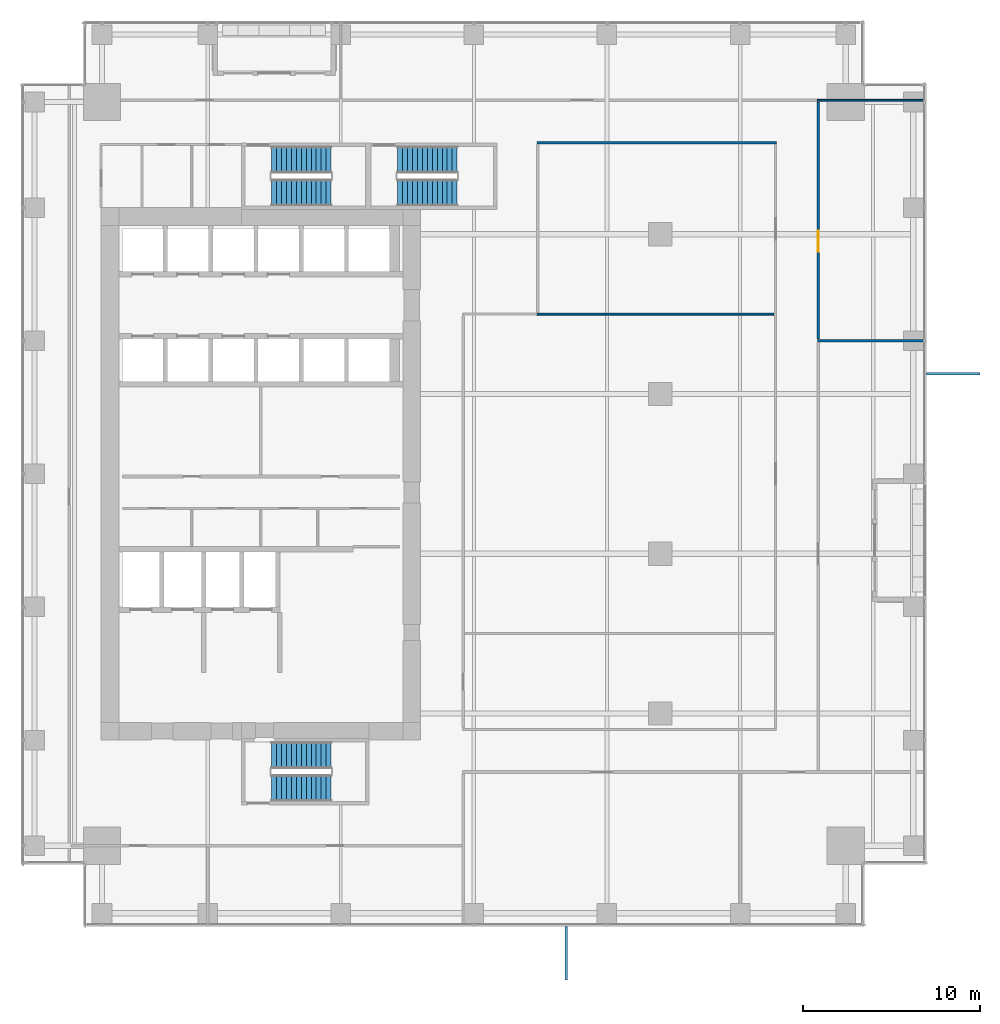
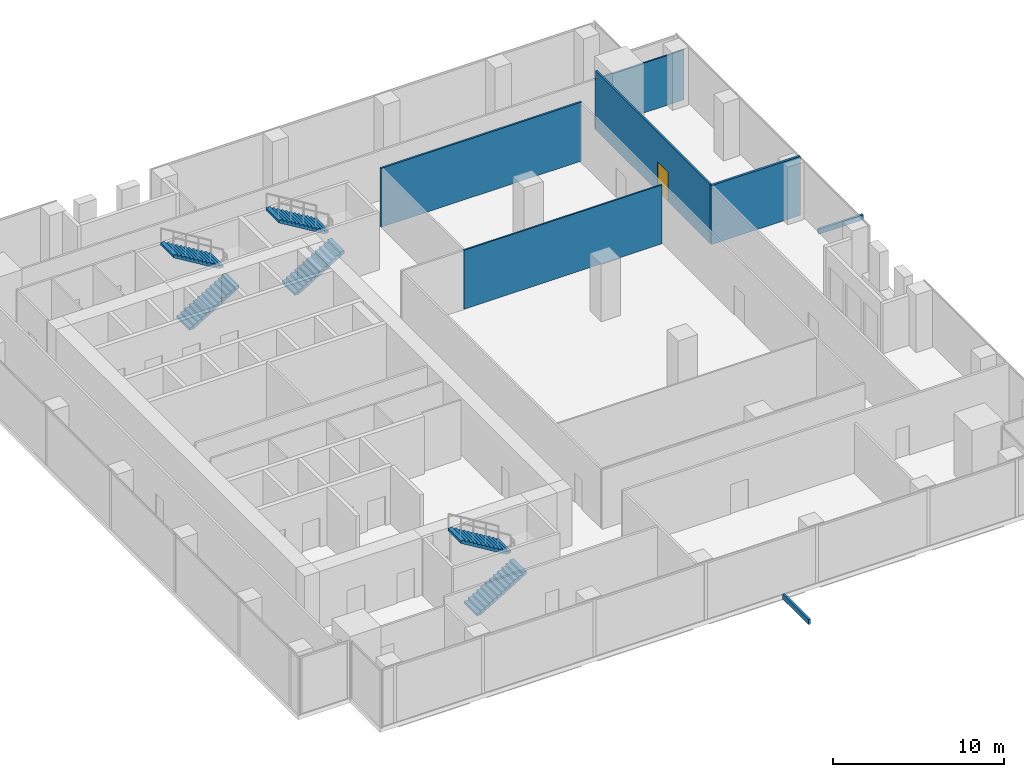
# One storey, part 31 of 34: 6 stair flights, 5 walls, 2 discrete accessories, 1 door, 1 opening, 3 elements without a shape of their own.
"""IFC4 building model written with IfcOpenShell, lengths in metres."""

from ifc_helpers import new_model, si_unit, direction, frame, frame_2d, origin, origin_2d, place, context, subcontext, project, spatial, polyline, rectangle, outline, extrude, source, transform, mapped, material, layer, layer_set, type_object, element, fill, aggregate, save


model = new_model("IFC4")

# Units and contexts
model_context = context("Model", 3, precision=1e-05, world=origin(), true_north=direction((0.0, 1.0)))
body_context = subcontext(model_context, "Body", "Model", "MODEL_VIEW")
ifc_project = project(units=[si_unit("LENGTHUNIT", "METRE"), si_unit("AREAUNIT", "SQUARE_METRE"), si_unit("VOLUMEUNIT", "CUBIC_METRE"), si_unit("PLANEANGLEUNIT", "RADIAN"), si_unit("MASSUNIT", "GRAM", prefix="KILO")], contexts=[model_context])

# Site, building, storey
site_placement = place(None, origin())
site = spatial("IfcSite", under=ifc_project, at=site_placement, CompositionType="ELEMENT")
building_placement = place(site_placement, origin())
building = spatial("IfcBuilding", under=site, at=building_placement, Name="Khomas Fold Tower", CompositionType="ELEMENT")
storey_placement = place(building_placement, frame((0.0, 0.0, 145.5)))
storey = spatial("IfcBuildingStorey", under=building, at=storey_placement, Name="L31", CompositionType="ELEMENT", Elevation=145.5)

# Walls
ifc_material_1 = material(Name="Plasterboard partition")
ifc_layer_1 = layer(ifc_material_1, 0.10009765625)
ifc_layer_set_1 = layer_set([ifc_layer_1], Name="Plasterboard partition")
wall_type_1 = type_object("IfcWallType", Name="Partition PW1 100", PredefinedType="PARTITIONING", material=ifc_layer_set_1)
shared_shape_1 = source(origin(), body_context, "Body", "SweptSolid", [
    extrude(rectangle(XDim=13.349853515625, YDim=0.10009765625, at=frame_2d((6.6748046875, 0.0))), origin(), (0.0, 0.0, 1.0), 4.199951171875),
])
wall_1_placement = place(storey_placement, frame((30.550048828125, 36.0, 0.0), z_axis=(0.0, 0.0, 1.0), x_axis=(1.0, 0.0, 0.0)))
element("IfcWall", 1, at=wall_1_placement, inside=storey, type_object=wall_type_1, Name="Partition", PredefinedType="PARTITIONING", context=body_context, shape_type="MappedRepresentation", body=[
    mapped(shared_shape_1, transform((0.0, 0.0, 0.0))),
])
ifc_material_2 = material(Name="Plasterboard partition")
ifc_layer_2 = layer(ifc_material_2, 0.125)
ifc_layer_set_2 = layer_set([ifc_layer_2], Name="Plasterboard partition")
wall_type_2 = type_object("IfcWallType", Name="Partition PW2 125", PredefinedType="PARTITIONING", material=ifc_layer_set_2)
shared_shape_2 = source(origin(), body_context, "Body", "SweptSolid", [
    extrude(rectangle(XDim=13.5, YDim=0.125, at=frame_2d((6.75, 0.0))), origin(), (0.0, 0.0, 1.0), 4.199951171875),
])
wall_2_placement = place(storey_placement, frame((30.550048828125, 45.64990234375, 0.0), z_axis=(0.0, 0.0, 1.0), x_axis=(1.0, 0.0, 0.0)))
element("IfcWall", 2, at=wall_2_placement, inside=storey, type_object=wall_type_2, Name="Partition", PredefinedType="PARTITIONING", context=body_context, shape_type="MappedRepresentation", body=[
    mapped(shared_shape_2, transform((0.0, 0.0, 0.0))),
])
shared_shape_3 = source(origin(), body_context, "Body", "SweptSolid", [
    extrude(rectangle(XDim=6.0, YDim=0.10009765625, at=frame_2d((3.0, 0.0))), origin(), (0.0, 0.0, 1.0), 3.550048828125),
])
wall_3_placement = place(storey_placement, frame((46.35009765625, 48.050048828125, 0.0), z_axis=(0.0, 0.0, 1.0), x_axis=(1.0, 0.0, 0.0)))
element("IfcWall", 3, at=wall_3_placement, inside=storey, type_object=wall_type_1, Name="Partition", PredefinedType="PARTITIONING", context=body_context, shape_type="MappedRepresentation", body=[
    mapped(shared_shape_3, transform((0.0, 0.0, 0.0))),
])
ifc_material_3 = material(Name="Plasterboard fire partition")
ifc_layer_3 = layer(ifc_material_3, 0.14990234375)
ifc_layer_set_3 = layer_set([ifc_layer_3], Name="Plasterboard fire partition")
wall_type_3 = type_object("IfcWallType", Name="Plant room wall PW3 150", PredefinedType="PARTITIONING", material=ifc_layer_set_3)
shared_shape_4 = source(origin(), body_context, "Body", "SweptSolid", [
    extrude(rectangle(XDim=6.0, YDim=0.14990234375, at=frame_2d((3.0, 0.0))), origin(), (0.0, 0.0, 1.0), 4.199951171875),
])
wall_4_placement = place(storey_placement, frame((46.35009765625, 34.5, 0.0), z_axis=(0.0, 0.0, 1.0), x_axis=(1.0, 0.0, 0.0)))
element("IfcWall", 4, at=wall_4_placement, inside=storey, type_object=wall_type_3, Name="Plant room wall", PredefinedType="PARTITIONING", context=body_context, shape_type="MappedRepresentation", body=[
    mapped(shared_shape_4, transform((0.0, 0.0, 0.0))),
])

# Wall, opening, door
shared_shape_5 = source(origin(), body_context, "Body", "SweptSolid", [
    extrude(rectangle(XDim=13.349853515625, YDim=0.125, at=frame_2d((6.6748046875, 0.0))), origin(), (0.0, 0.0, 1.0), 4.199951171875),
])
wall_5_placement = place(storey_placement, frame((46.39990234375, 34.60009765625, 0.0), z_axis=(0.0, 0.0, 1.0), x_axis=(0.0, 1.0, 0.0)))
wall_5 = element("IfcWall", 5, at=wall_5_placement, inside=storey, type_object=wall_type_2, Name="Partition", PredefinedType="PARTITIONING", context=body_context, shape_type="MappedRepresentation", body=[
    mapped(shared_shape_5, transform((0.0, 0.0, 0.0))),
])
shared_shape_6 = source(origin(), body_context, "Body", "SweptSolid", [
    extrude(rectangle(XDim=1.199951171875, YDim=2.10009765625, at=frame_2d((0.60009765625, 1.050048828125))), frame((0.0, 0.072509765625, 0.0), z_axis=(0.0, -1.0, 0.0), x_axis=(1.0, 0.0, 0.0)), (0.0, 0.0, 1.0), 0.14501953125),
])
opening_placement = place(wall_5_placement, frame((4.89990234375, 0.0, 0.0)))
opening = element("IfcOpeningElement", 6, at=opening_placement, cuts=wall_5, Name="Opening 0013", PredefinedType="OPENING", context=body_context, shape_type="MappedRepresentation", body=[
    mapped(shared_shape_6, transform((0.0, 0.0, 0.0))),
])
ifc_material_4 = material(Name="Timber door leaf", Category="wood")
door_type = type_object("IfcDoorType", Name="Door 1200x2100 left-hand", OperationType="SINGLE_SWING_LEFT", PredefinedType="DOOR", material=ifc_material_4)
shared_shape_7 = source(origin(), body_context, "Body", "SweptSolid", [
    extrude(rectangle(XDim=1.199951171875, YDim=2.10009765625, at=frame_2d((0.60009765625, 1.050048828125))), frame((0.0, 0.02490234375, 0.0), z_axis=(0.0, -1.0, 0.0), x_axis=(1.0, 0.0, 0.0)), (0.0, 0.0, 1.0), 0.050048828125),
])
door_placement = place(opening_placement, origin())
door = element("IfcDoor", 7, at=door_placement, inside=storey, type_object=door_type, Name="Door", OperationType="SINGLE_SWING_LEFT", OverallHeight=2.10009765625, OverallWidth=1.199951171875, PredefinedType="DOOR", context=body_context, shape_type="MappedRepresentation", body=[
    mapped(shared_shape_7, transform((0.0, 0.0, 0.0))),
])
fill(opening, door)

# Stair, stair flights
ifc_material_5 = material(Name="Concrete C40/50", Category="concrete")
stair_type_1 = type_object("IfcStairType", Name="Stair ST1", PredefinedType="HALF_TURN_STAIR", material=ifc_material_5)
stair_1_placement = place(storey_placement, origin())
stair_1 = element("IfcStair", 8, at=stair_1_placement, inside=storey, type_object=stair_type_1, Name="L31 ST1", PredefinedType="HALF_TURN_STAIR")
ifc_material_6 = material(Name="Concrete C40/50", Category="concrete")
stair_flight_type_1 = type_object("IfcStairFlightType", Name="Stair flight 1500 ST1", PredefinedType="STRAIGHT", material=ifc_material_6)
shared_shape_8 = source(origin(), body_context, "Body", "SweptSolid", [
    extrude(outline(polyline([(0.0, 0.0), (0.0, 0.012939453125), (0.0, 0.026123046875), (0.0, 0.0390625), (0.0, 0.052001953125), (0.0, 0.065185546875), (0.0, 0.078125), (0.0, 0.091064453125), (0.0, 0.104248046875), (0.0, 0.1171875), (0.0, 0.130126953125), (0.0, 0.143310546875), (0.0, 0.15625), (0.0, 0.169189453125), (0.280029296875, 0.169189453125), (0.280029296875, 0.33837890625), (0.56005859375, 0.33837890625), (0.56005859375, 0.5078125), (0.840087890625, 0.5078125), (0.840087890625, 0.677001953125), (1.1201171875, 0.677001953125), (1.1201171875, 0.84619140625), (1.39990234375, 0.84619140625), (1.39990234375, 1.015380859375), (1.679931640625, 1.015380859375), (1.679931640625, 1.1845703125), (1.9599609375, 1.1845703125), (1.9599609375, 1.353759765625), (2.239990234375, 1.353759765625), (2.239990234375, 1.523193359375), (2.52001953125, 1.523193359375), (2.52001953125, 1.6923828125), (2.800048828125, 1.6923828125), (2.800048828125, 1.861572265625), (3.080078125, 1.861572265625), (3.080078125, 2.03076171875), (3.360107421875, 2.03076171875), (3.360107421875, 2.199951171875), (3.360107421875, 2.173583984375), (3.360107421875, 2.14697265625), (3.360107421875, 2.12060546875), (3.360107421875, 2.093994140625), (3.360107421875, 2.067626953125), (3.360107421875, 2.041015625), (3.360107421875, 2.0146484375), (3.360107421875, 1.988037109375), (3.360107421875, 1.961669921875), (3.360107421875, 1.93505859375), (3.360107421875, 1.90869140625), (3.360107421875, 1.882080078125), (3.360107421875, 1.855712890625), (0.289794921875, 0.0), (0.0, 0.0)])), frame((0.0, 0.75, 0.0), z_axis=(0.0, -1.0, 0.0), x_axis=(1.0, 0.0, 0.0)), (0.0, 0.0, 1.0), 1.5),
])
stair_flight_1_placement = place(storey_placement, frame((15.60009765625, 42.85009765625, 0.0), z_axis=(0.0, 0.0, 1.0), x_axis=(1.0, 0.0, 0.0)))
stair_flight_1 = element("IfcStairFlight", 9, at=stair_flight_1_placement, type_object=stair_flight_type_1, Name="ST1 flight 1", NumberOfRisers=13, NumberOfTreads=12, PredefinedType="STRAIGHT", RiserHeight=0.169230769, TreadLength=0.28, context=body_context, shape_type="MappedRepresentation", body=[
    mapped(shared_shape_8, transform((0.0, 0.0, 0.0))),
])
stair_flight_2_placement = place(storey_placement, frame((18.9599609375, 44.699951171875, 2.199951171875), z_axis=(0.0, 0.0, 1.0), x_axis=(-1.0, 0.0, 0.0)))
stair_flight_2 = element("IfcStairFlight", 10, at=stair_flight_2_placement, type_object=stair_flight_type_1, Name="ST1 flight 2", NumberOfRisers=13, NumberOfTreads=12, PredefinedType="STRAIGHT", RiserHeight=0.169230769, TreadLength=0.28, context=body_context, shape_type="MappedRepresentation", body=[
    mapped(shared_shape_8, transform((0.0, 0.0, 0.0))),
])
aggregate(stair_1, [stair_flight_1, stair_flight_2])

ifc_material_7 = material(Name="Concrete C40/50", Category="concrete")
stair_type_2 = type_object("IfcStairType", Name="Stair ST2", PredefinedType="HALF_TURN_STAIR", material=ifc_material_7)
stair_2_placement = place(storey_placement, origin())
stair_2 = element("IfcStair", 11, at=stair_2_placement, inside=storey, type_object=stair_type_2, Name="L31 ST2", PredefinedType="HALF_TURN_STAIR")
ifc_material_8 = material(Name="Concrete C40/50", Category="concrete")
stair_flight_type_2 = type_object("IfcStairFlightType", Name="Stair flight 1500 ST2", PredefinedType="STRAIGHT", material=ifc_material_8)
stair_flight_3_placement = place(storey_placement, frame((15.60009765625, 9.300048828125, 0.0), z_axis=(0.0, 0.0, 1.0), x_axis=(1.0, 0.0, 0.0)))
stair_flight_3 = element("IfcStairFlight", 12, at=stair_flight_3_placement, type_object=stair_flight_type_2, Name="ST2 flight 1", NumberOfRisers=13, NumberOfTreads=12, PredefinedType="STRAIGHT", RiserHeight=0.169230769, TreadLength=0.28, context=body_context, shape_type="MappedRepresentation", body=[
    mapped(shared_shape_8, transform((0.0, 0.0, 0.0))),
])
stair_flight_4_placement = place(storey_placement, frame((18.9599609375, 11.14990234375, 2.199951171875), z_axis=(0.0, 0.0, 1.0), x_axis=(-1.0, 0.0, 0.0)))
stair_flight_4 = element("IfcStairFlight", 13, at=stair_flight_4_placement, type_object=stair_flight_type_2, Name="ST2 flight 2", NumberOfRisers=13, NumberOfTreads=12, PredefinedType="STRAIGHT", RiserHeight=0.169230769, TreadLength=0.28, context=body_context, shape_type="MappedRepresentation", body=[
    mapped(shared_shape_8, transform((0.0, 0.0, 0.0))),
])
aggregate(stair_2, [stair_flight_3, stair_flight_4])

ifc_material_9 = material(Name="Concrete C40/50", Category="concrete")
stair_type_3 = type_object("IfcStairType", Name="Stair ST3", PredefinedType="HALF_TURN_STAIR", material=ifc_material_9)
stair_3_placement = place(storey_placement, origin())
stair_3 = element("IfcStair", 14, at=stair_3_placement, inside=storey, type_object=stair_type_3, Name="L31 ST3", PredefinedType="HALF_TURN_STAIR")
ifc_material_10 = material(Name="Concrete C40/50", Category="concrete")
stair_flight_type_3 = type_object("IfcStairFlightType", Name="Stair flight 1500 ST3", PredefinedType="STRAIGHT", material=ifc_material_10)
stair_flight_5_placement = place(storey_placement, frame((22.699951171875, 42.85009765625, 0.0), z_axis=(0.0, 0.0, 1.0), x_axis=(1.0, 0.0, 0.0)))
stair_flight_5 = element("IfcStairFlight", 15, at=stair_flight_5_placement, type_object=stair_flight_type_3, Name="ST3 flight 1", NumberOfRisers=13, NumberOfTreads=12, PredefinedType="STRAIGHT", RiserHeight=0.169230769, TreadLength=0.28, context=body_context, shape_type="MappedRepresentation", body=[
    mapped(shared_shape_8, transform((0.0, 0.0, 0.0))),
])
stair_flight_6_placement = place(storey_placement, frame((26.06005859375, 44.699951171875, 2.199951171875), z_axis=(0.0, 0.0, 1.0), x_axis=(-1.0, 0.0, 0.0)))
stair_flight_6 = element("IfcStairFlight", 16, at=stair_flight_6_placement, type_object=stair_flight_type_3, Name="ST3 flight 2", NumberOfRisers=13, NumberOfTreads=12, PredefinedType="STRAIGHT", RiserHeight=0.169230769, TreadLength=0.28, context=body_context, shape_type="MappedRepresentation", body=[
    mapped(shared_shape_8, transform((0.0, 0.0, 0.0))),
])
aggregate(stair_3, [stair_flight_5, stair_flight_6])

# Discrete accessories
ifc_material_11 = material(Name="Stainless steel", Category="steel")
discrete_accessory_type = type_object("IfcDiscreteAccessoryType", Name="SK-Stainless steel stone bracket", PredefinedType="BRACKET", material=ifc_material_11)
shared_shape_9 = source(origin(), body_context, "Body", "SweptSolid", [
    extrude(rectangle(XDim=3.01513671875, YDim=0.14990234375, at=origin_2d()), origin(), (0.0, 0.0, 1.0), 0.360107421875),
])
for number, where, z_axis, x_axis, name in (
    (17, (32.207275390625, -0.007568359375, -0.30029296875), (0.0, 0.0, 1.0), (0.0, -1.0, 0.0), "Stone bracket L31 SS09-3-3"),
    (18, (54.007568359375, 32.64501953125, -0.30029296875), (0.0, 0.0, 1.0), (1.0, 0.0, 0.0), "Stone bracket L31 ES09-2-2"),
):
    element("IfcDiscreteAccessory", number, at=place(storey_placement, frame(where, z_axis=z_axis, x_axis=x_axis)), inside=storey, type_object=discrete_accessory_type, Name=name, PredefinedType="BRACKET", context=body_context, shape_type="MappedRepresentation", body=[
        mapped(shared_shape_9, transform((0.0, 0.0, 0.0))),
    ])

save(model, "model.ifc")
